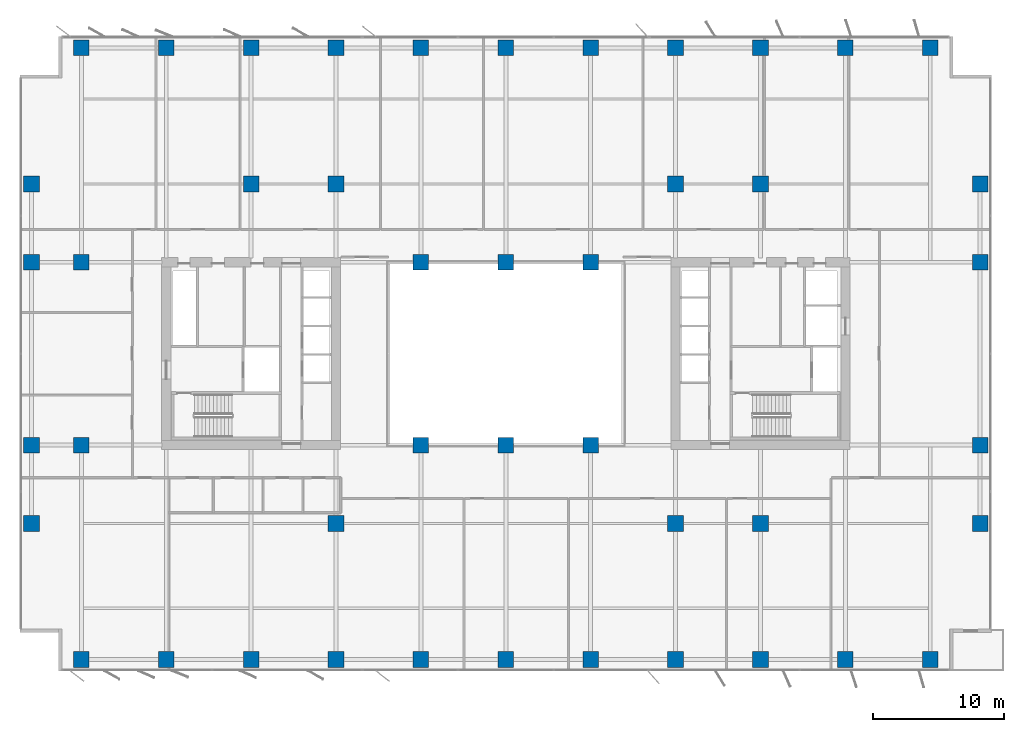
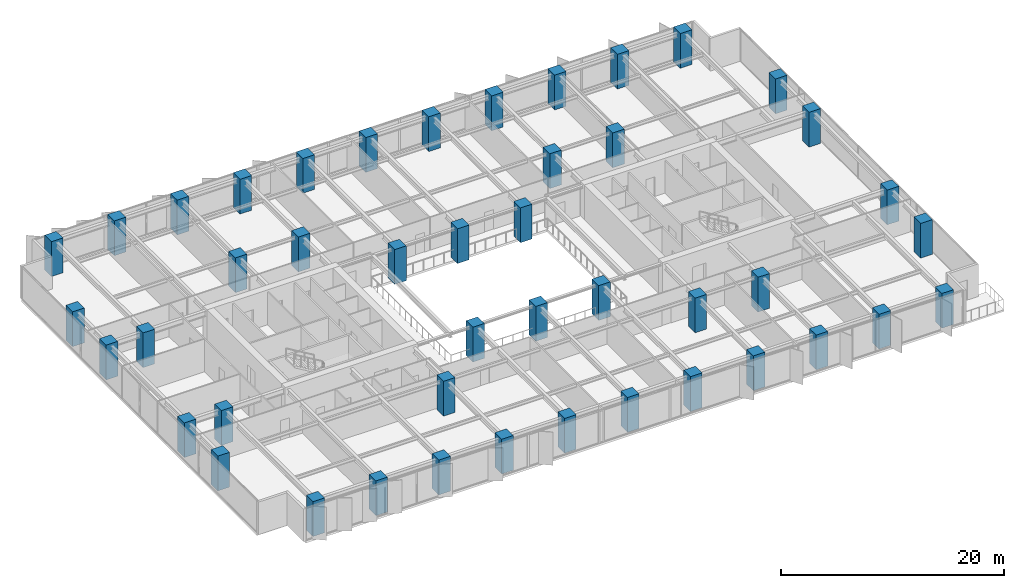
# One storey, part 1 of 20: 45 columns.
"""IFC4 building model written with IfcOpenShell, lengths in metres."""

from ifc_helpers import new_model, si_unit, direction, frame, origin, origin_2d, place, context, subcontext, project, spatial, rectangle, extrude, material, material_profile, profile_set, type_object, element, save


model = new_model("IFC4")

# Units and contexts
model_context = context("Model", 3, precision=1e-05, world=origin(), true_north=direction((0.0, 1.0)))
body_context = subcontext(model_context, "Body", "Model", "MODEL_VIEW")
ifc_project = project(units=[si_unit("LENGTHUNIT", "METRE"), si_unit("AREAUNIT", "SQUARE_METRE"), si_unit("VOLUMEUNIT", "CUBIC_METRE"), si_unit("PLANEANGLEUNIT", "RADIAN"), si_unit("MASSUNIT", "GRAM", prefix="KILO")], contexts=[model_context])

# Site, building, storey
site_placement = place(None, origin())
site = spatial("IfcSite", under=ifc_project, at=site_placement, CompositionType="ELEMENT")
building_placement = place(site_placement, origin())
building = spatial("IfcBuilding", under=site, at=building_placement, Name="Putna Gate Headquarters", CompositionType="ELEMENT")
storey_placement = place(building_placement, frame((0.0, 0.0, 116.39990234375)))
storey = spatial("IfcBuildingStorey", under=building, at=storey_placement, Name="L28", CompositionType="ELEMENT", Elevation=116.39990234375)

# Columns
ifc_material = material(Name="Concrete C60/75", Category="concrete")
ifc_material_profile_1 = material_profile(ifc_material, rectangle(XDim=1.199951171875, YDim=1.199951171875, at=origin_2d()), Name="Concrete C60/75")
ifc_profile_set_1 = profile_set([ifc_material_profile_1], Name="Concrete C60/75")
column_type_1 = type_object("IfcColumnType", Name="COL-RC1200-EXT", PredefinedType="COLUMN", material=ifc_profile_set_1)
for number, where, z_axis, x_axis, name in (
    (1, (6.5, 2.580078125, 0.0), (0.0, 0.0, 1.0), (1.0, 0.0, 0.0), "L28 Column CP-S6"),
    (2, (6.5, 49.419921875, 0.0), (0.0, 0.0, 1.0), (1.0, 0.0, 0.0), "L28 Column CP-N6"),
    (3, (13.0, 2.580078125, 0.0), (0.0, 0.0, 1.0), (1.0, 0.0, 0.0), "L28 Column CP-S13"),
    (4, (13.0, 49.419921875, 0.0), (0.0, 0.0, 1.0), (1.0, 0.0, 0.0), "L28 Column CP-N13"),
    (5, (19.5, 2.580078125, 0.0), (0.0, 0.0, 1.0), (1.0, 0.0, 0.0), "L28 Column CP-S19"),
    (6, (19.5, 49.419921875, 0.0), (0.0, 0.0, 1.0), (1.0, 0.0, 0.0), "L28 Column CP-N19"),
    (7, (26.0, 2.580078125, 0.0), (0.0, 0.0, 1.0), (1.0, 0.0, 0.0), "L28 Column CP-S26"),
    (8, (26.0, 49.419921875, 0.0), (0.0, 0.0, 1.0), (1.0, 0.0, 0.0), "L28 Column CP-N26"),
    (9, (32.5, 2.580078125, 0.0), (0.0, 0.0, 1.0), (1.0, 0.0, 0.0), "L28 Column CP-S32"),
    (10, (32.5, 49.419921875, 0.0), (0.0, 0.0, 1.0), (1.0, 0.0, 0.0), "L28 Column CP-N32"),
    (11, (39.0, 2.580078125, 0.0), (0.0, 0.0, 1.0), (1.0, 0.0, 0.0), "L28 Column CP-S39"),
    (12, (39.0, 49.419921875, 0.0), (0.0, 0.0, 1.0), (1.0, 0.0, 0.0), "L28 Column CP-N39"),
    (13, (45.5, 2.580078125, 0.0), (0.0, 0.0, 1.0), (1.0, 0.0, 0.0), "L28 Column CP-S45"),
    (14, (45.5, 49.419921875, 0.0), (0.0, 0.0, 1.0), (1.0, 0.0, 0.0), "L28 Column CP-N45"),
    (15, (52.0, 2.580078125, 0.0), (0.0, 0.0, 1.0), (1.0, 0.0, 0.0), "L28 Column CP-S52"),
    (16, (52.0, 49.419921875, 0.0), (0.0, 0.0, 1.0), (1.0, 0.0, 0.0), "L28 Column CP-N52"),
    (17, (58.5, 2.580078125, 0.0), (0.0, 0.0, 1.0), (1.0, 0.0, 0.0), "L28 Column CP-S58"),
    (18, (58.5, 49.419921875, 0.0), (0.0, 0.0, 1.0), (1.0, 0.0, 0.0), "L28 Column CP-N58"),
    (19, (65.0, 2.580078125, 0.0), (0.0, 0.0, 1.0), (1.0, 0.0, 0.0), "L28 Column CP-S65"),
    (20, (65.0, 49.419921875, 0.0), (0.0, 0.0, 1.0), (1.0, 0.0, 0.0), "L28 Column CP-N65"),
    (21, (71.5, 2.580078125, 0.0), (0.0, 0.0, 1.0), (1.0, 0.0, 0.0), "L28 Column CP-S71"),
    (22, (71.5, 49.419921875, 0.0), (0.0, 0.0, 1.0), (1.0, 0.0, 0.0), "L28 Column CP-N71"),
    (23, (2.679931640625, 13.0, 0.0), (0.0, 0.0, 1.0), (1.0, 0.0, 0.0), "L28 Column CP-W13"),
    (24, (75.320068359375, 13.0, 0.0), (0.0, 0.0, 1.0), (1.0, 0.0, 0.0), "L28 Column CP-E13"),
    (25, (2.679931640625, 19.0, 0.0), (0.0, 0.0, 1.0), (1.0, 0.0, 0.0), "L28 Column CP-W19"),
    (26, (75.320068359375, 19.0, 0.0), (0.0, 0.0, 1.0), (1.0, 0.0, 0.0), "L28 Column CP-E19"),
    (27, (2.679931640625, 33.0, 0.0), (0.0, 0.0, 1.0), (1.0, 0.0, 0.0), "L28 Column CP-W33"),
    (28, (75.320068359375, 33.0, 0.0), (0.0, 0.0, 1.0), (1.0, 0.0, 0.0), "L28 Column CP-E33"),
    (29, (2.679931640625, 39.0, 0.0), (0.0, 0.0, 1.0), (1.0, 0.0, 0.0), "L28 Column CP-W39"),
    (30, (75.320068359375, 39.0, 0.0), (0.0, 0.0, 1.0), (1.0, 0.0, 0.0), "L28 Column CP-E39"),
):
    element("IfcColumn", number, at=place(storey_placement, frame(where, z_axis=z_axis, x_axis=x_axis)), inside=storey, type_object=column_type_1, Name=name, PredefinedType="COLUMN", context=body_context, shape_type="SweptSolid", body=[
        extrude(rectangle(XDim=1.199951171875, YDim=1.199951171875, at=origin_2d()), origin(), (0.0, 0.0, 1.0), 3.800048828125),
    ])
ifc_material_profile_2 = material_profile(ifc_material, rectangle(XDim=1.199951171875, YDim=1.199951171875, at=origin_2d()), Name="Concrete C60/75")
ifc_profile_set_2 = profile_set([ifc_material_profile_2], Name="Concrete C60/75")
column_type_2 = type_object("IfcColumnType", Name="COL-RC1200-INT", PredefinedType="COLUMN", material=ifc_profile_set_2)
for number, where, z_axis, x_axis, name in (
    (31, (19.5, 39.0, 0.0), (0.0, 0.0, 1.0), (1.0, 0.0, 0.0), "L28 Column CSI-WN"),
    (32, (58.5, 13.0, 0.0), (0.0, 0.0, 1.0), (1.0, 0.0, 0.0), "L28 Column CSI-ES"),
    (33, (58.5, 39.0, 0.0), (0.0, 0.0, 1.0), (1.0, 0.0, 0.0), "L28 Column CSI-EN"),
    (34, (6.5, 19.0, 0.0), (0.0, 0.0, 1.0), (1.0, 0.0, 0.0), "L28 Column CSI-WM"),
    (35, (6.5, 33.0, 0.0), (0.0, 0.0, 1.0), (1.0, 0.0, 0.0), "L28 Column CSI-WNW"),
    (36, (32.5, 19.0, 0.0), (0.0, 0.0, 1.0), (1.0, 0.0, 0.0), "L28 Column CAI-S32"),
    (37, (32.5, 33.0, 0.0), (0.0, 0.0, 1.0), (1.0, 0.0, 0.0), "L28 Column CAI-N32"),
    (38, (39.0, 19.0, 0.0), (0.0, 0.0, 1.0), (1.0, 0.0, 0.0), "L28 Column CAI-S39"),
    (39, (39.0, 33.0, 0.0), (0.0, 0.0, 1.0), (1.0, 0.0, 0.0), "L28 Column CAI-N39"),
    (40, (45.5, 19.0, 0.0), (0.0, 0.0, 1.0), (1.0, 0.0, 0.0), "L28 Column CAI-S45"),
    (41, (45.5, 33.0, 0.0), (0.0, 0.0, 1.0), (1.0, 0.0, 0.0), "L28 Column CAI-N45"),
    (42, (26.0, 13.0, 0.0), (0.0, 0.0, 1.0), (1.0, 0.0, 0.0), "L28 Column CAP-WS"),
    (43, (26.0, 39.0, 0.0), (0.0, 0.0, 1.0), (1.0, 0.0, 0.0), "L28 Column CAP-WN"),
    (44, (52.0, 13.0, 0.0), (0.0, 0.0, 1.0), (1.0, 0.0, 0.0), "L28 Column CAP-ES"),
    (45, (52.0, 39.0, 0.0), (0.0, 0.0, 1.0), (1.0, 0.0, 0.0), "L28 Column CAP-EN"),
):
    element("IfcColumn", number, at=place(storey_placement, frame(where, z_axis=z_axis, x_axis=x_axis)), inside=storey, type_object=column_type_2, Name=name, PredefinedType="COLUMN", context=body_context, shape_type="SweptSolid", body=[
        extrude(rectangle(XDim=1.199951171875, YDim=1.199951171875, at=origin_2d()), origin(), (0.0, 0.0, 1.0), 3.800048828125),
    ])

save(model, "model.ifc")
